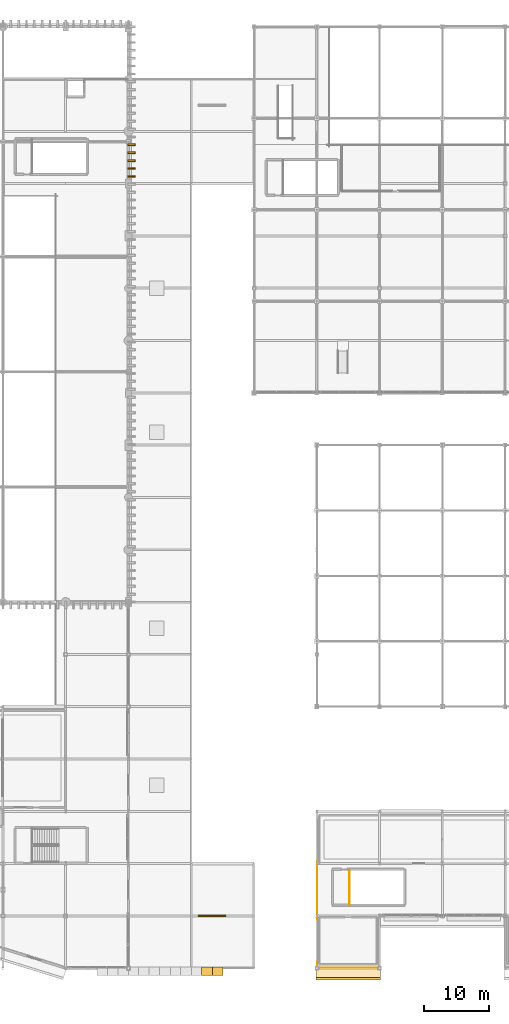
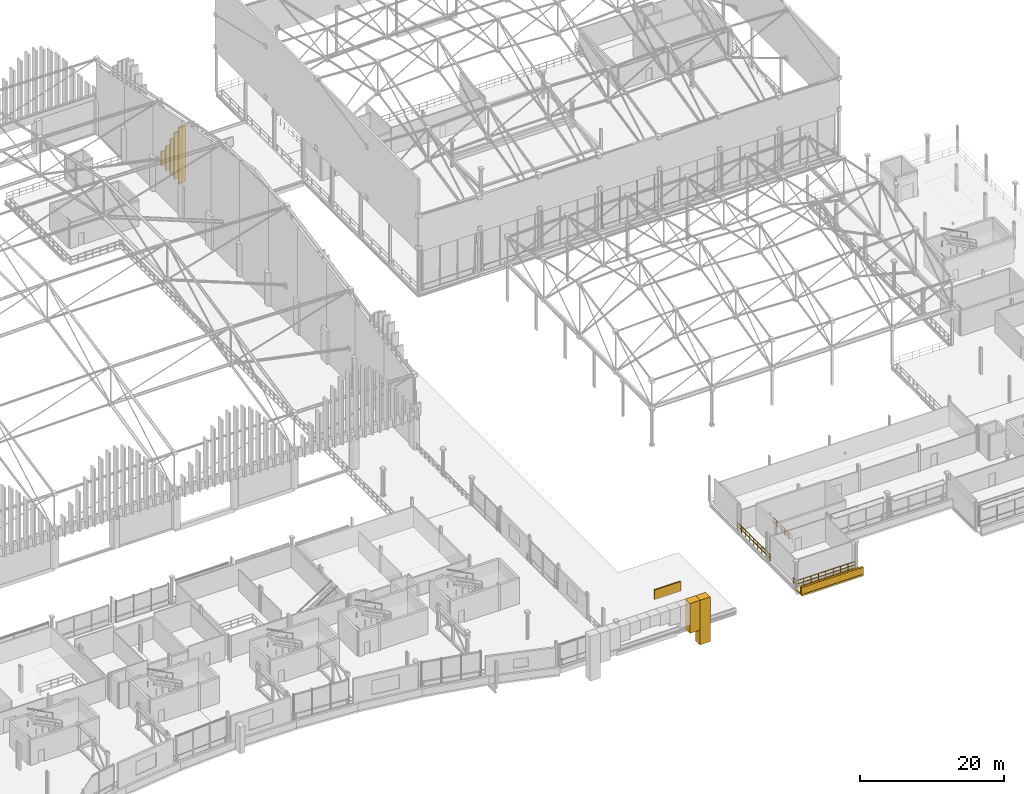
# One storey, part 183 of 193: 9 coverings, 4 railings, 1 shading device.
"""IFC4 building model written with IfcOpenShell, lengths in metres."""

from ifc_helpers import new_model, si_unit, direction, frame, origin, origin_2d, place, context, subcontext, project, spatial, rectangle, circle, extrude, material, layer, layer_set, type_object, element, save


model = new_model("IFC4")

# Units and contexts
model_context = context("Model", 3, precision=1e-05, world=origin(), true_north=direction((0.0, 1.0)))
body_context = subcontext(model_context, "Body", "Model", "MODEL_VIEW")
ifc_project = project(units=[si_unit("LENGTHUNIT", "METRE"), si_unit("AREAUNIT", "SQUARE_METRE"), si_unit("VOLUMEUNIT", "CUBIC_METRE"), si_unit("PLANEANGLEUNIT", "RADIAN"), si_unit("MASSUNIT", "GRAM", prefix="KILO")], contexts=[model_context])

# Site, building, storey
site_placement = place(None, origin())
site = spatial("IfcSite", under=ifc_project, at=site_placement, CompositionType="ELEMENT")
building_placement = place(site_placement, origin())
building = spatial("IfcBuilding", under=site, at=building_placement, Name="Danafjord Basin Convention Centre", CompositionType="ELEMENT")
storey_placement = place(building_placement, frame((0.0, 0.0, 11.39990234375)))
storey = spatial("IfcBuildingStorey", under=building, at=storey_placement, Name="L02", CompositionType="ELEMENT", Elevation=11.39990234375)

# Coverings
ifc_material_1 = material(Name="Architectural white precast concrete C45/55", Category="concrete")
ifc_layer_1 = layer(ifc_material_1, 0.419921875)
ifc_layer_set_1 = layer_set([ifc_layer_1], Name="Architectural white precast concrete C45/55")
covering_type_1 = type_object("IfcCoveringType", Name="COV-ARCH-PORTAL", PredefinedType="CLADDING", material=ifc_layer_set_1)
covering_1_placement = place(storey_placement, frame((127.199951171875, -0.449951171875, -0.85009765625), z_axis=(0.0, 0.0, 1.0), x_axis=(1.0, 0.0, 0.0)))
element("IfcCovering", 1, at=covering_1_placement, inside=storey, type_object=covering_type_1, Name="Main entrance arch white concrete spandrel voussoir 11", PredefinedType="CLADDING", context=body_context, shape_type="SweptSolid", body=[
    extrude(rectangle(XDim=1.659912109375, YDim=1.300048828125, at=origin_2d()), origin(), (0.0, 0.0, 1.0), 5.05029296875),
])
covering_2_placement = place(storey_placement, frame((128.800048828125, -0.449951171875, -3.36328125), z_axis=(0.0, 0.0, 1.0), x_axis=(1.0, 0.0, 0.0)))
element("IfcCovering", 2, at=covering_2_placement, inside=storey, type_object=covering_type_1, Name="Main entrance arch white concrete spandrel voussoir 12", PredefinedType="CLADDING", context=body_context, shape_type="SweptSolid", body=[
    extrude(rectangle(XDim=1.659912109375, YDim=1.300048828125, at=origin_2d()), origin(), (0.0, 0.0, 1.0), 7.563232421875),
])
ifc_layer_2 = layer(ifc_material_1, 0.320068359375)
ifc_layer_set_2 = layer_set([ifc_layer_2], Name="Architectural white precast concrete C45/55")
covering_type_2 = type_object("IfcCoveringType", Name="COV-BAND-HORIZ", PredefinedType="CLADDING", material=ifc_layer_set_2)
covering_3_placement = place(storey_placement, frame((148.800048828125, -0.77490234375, -0.27978515625), z_axis=(0.0, 0.0, 1.0), x_axis=(1.0, 0.0, 0.0)))
element("IfcCovering", 3, at=covering_3_placement, inside=storey, type_object=covering_type_2, Name="L02 stepped horizontal band soffit plate 63", PredefinedType="CLADDING", context=body_context, shape_type="SweptSolid", body=[
    extrude(rectangle(XDim=9.840087890625, YDim=2.050048828125, at=origin_2d()), origin(), (0.0, 0.0, 1.0), 0.280029296875),
])
covering_4_placement = place(storey_placement, frame((148.800048828125, -1.610107421875, -0.23974609375), z_axis=(0.0, 0.0, 1.0), x_axis=(1.0, 0.0, 0.0)))
element("IfcCovering", 4, at=covering_4_placement, inside=storey, type_object=covering_type_2, Name="L02 layered horizontal white spandrel band 63", PredefinedType="CLADDING", context=body_context, shape_type="SweptSolid", body=[
    extrude(rectangle(XDim=9.8798828125, YDim=0.320068359375, at=origin_2d()), origin(), (0.0, 0.0, 1.0), 1.419921875),
])
ifc_layer_3 = layer(ifc_material_1, 0.280029296875)
ifc_layer_set_3 = layer_set([ifc_layer_3], Name="Architectural white precast concrete C45/55")
covering_type_3 = type_object("IfcCoveringType", Name="COV-FIN-RIDGE", PredefinedType="CLADDING", material=ifc_layer_set_3)
covering_5_placement = place(storey_placement, frame((115.64990234375, 121.095947265625, 5.150146484375), z_axis=(0.0, 0.0, 1.0), x_axis=(1.0, 0.0, 0.0)))
element("IfcCovering", 5, at=covering_5_placement, inside=storey, type_object=covering_type_3, Name="V1 E white vertical mountain-ridge fin 323", PredefinedType="CLADDING", context=body_context, shape_type="SweptSolid", body=[
    extrude(rectangle(XDim=1.139892578125, YDim=0.280029296875, at=origin_2d()), origin(), (0.0, 0.0, 1.0), 9.52001953125),
])
covering_6_placement = place(storey_placement, frame((115.64990234375, 122.301513671875, 5.14990234375), z_axis=(0.0, 0.0, 1.0), x_axis=(1.0, 0.0, 0.0)))
element("IfcCovering", 6, at=covering_6_placement, inside=storey, type_object=covering_type_3, Name="V1 E white vertical mountain-ridge fin 324", PredefinedType="CLADDING", context=body_context, shape_type="SweptSolid", body=[
    extrude(rectangle(XDim=1.139892578125, YDim=0.280029296875, at=origin_2d()), origin(), (0.0, 0.0, 1.0), 7.850830078125),
])
covering_7_placement = place(storey_placement, frame((115.64990234375, 123.5068359375, 5.150146484375), z_axis=(0.0, 0.0, 1.0), x_axis=(1.0, 0.0, 0.0)))
element("IfcCovering", 7, at=covering_7_placement, inside=storey, type_object=covering_type_3, Name="V1 E white vertical mountain-ridge fin 325", PredefinedType="CLADDING", context=body_context, shape_type="SweptSolid", body=[
    extrude(rectangle(XDim=1.139892578125, YDim=0.280029296875, at=origin_2d()), origin(), (0.0, 0.0, 1.0), 5.9658203125),
])
covering_8_placement = place(storey_placement, frame((115.64990234375, 124.71240234375, 5.14990234375), z_axis=(0.0, 0.0, 1.0), x_axis=(1.0, 0.0, 0.0)))
element("IfcCovering", 8, at=covering_8_placement, inside=storey, type_object=covering_type_3, Name="V1 E white vertical mountain-ridge fin 326", PredefinedType="CLADDING", context=body_context, shape_type="SweptSolid", body=[
    extrude(rectangle(XDim=1.139892578125, YDim=0.280029296875, at=origin_2d()), origin(), (0.0, 0.0, 1.0), 4.069580078125),
])
covering_9_placement = place(storey_placement, frame((115.64990234375, 125.917724609375, 5.14990234375), z_axis=(0.0, 0.0, 1.0), x_axis=(1.0, 0.0, 0.0)))
element("IfcCovering", 9, at=covering_9_placement, inside=storey, type_object=covering_type_3, Name="V1 E white vertical mountain-ridge fin 327", PredefinedType="CLADDING", context=body_context, shape_type="SweptSolid", body=[
    extrude(rectangle(XDim=1.139892578125, YDim=0.280029296875, at=origin_2d()), origin(), (0.0, 0.0, 1.0), 2.45361328125),
])

# Railings
ifc_material_2 = material(Name="Laminated structural glass and stainless steel", Category="steel")
railing_type_1 = type_object("IfcRailingType", Name="RL-BAL-GLS", PredefinedType="BALUSTRADE", material=ifc_material_2)
railing_1_placement = place(storey_placement, frame((153.510009765625, 0.080078125, 0.0)))
element("IfcRailing", 10, at=railing_1_placement, inside=storey, type_object=railing_type_1, Name="L02 safety guard balustrade 133", PredefinedType="BALUSTRADE", context=body_context, shape_type="SweptSolid", body=[
    extrude(circle(Radius=0.02392578125, at=origin_2d()), frame((0.0, 0.0, 1.1259765625), z_axis=(-1.0, 0.0, 0.0), x_axis=(0.0, -1.0, 0.0)), (0.0, 0.0, 1.0), 9.429931640625),
    extrude(circle(Radius=0.02392578125, at=origin_2d()), frame((0.0, 0.0, 0.55078125), z_axis=(-1.0, 0.0, 0.0), x_axis=(0.0, -1.0, 0.0)), (0.0, 0.0, 1.0), 9.429931640625),
    extrude(circle(Radius=0.02392578125, at=origin_2d()), frame((-9.429931640625, 0.0, 1.1259765625), z_axis=(0.0, 1.0, 0.0), x_axis=(-1.0, 0.0, 0.0)), (0.0, 0.0, 1.0), 0.891845703125),
    extrude(circle(Radius=0.02392578125, at=origin_2d()), frame((-9.429931640625, 0.0, 0.55078125), z_axis=(0.0, 1.0, 0.0), x_axis=(-1.0, 0.0, 0.0)), (0.0, 0.0, 1.0), 0.891845703125),
    extrude(circle(Radius=0.02099609375, at=origin_2d()), origin(), (0.0, 0.0, 1.0), 1.099853515625),
    extrude(circle(Radius=0.02099609375, at=origin_2d()), frame((-1.1787109375, 0.0, 0.0)), (0.0, 0.0, 1.0), 1.099853515625),
    extrude(circle(Radius=0.02099609375, at=origin_2d()), frame((-2.357421875, 0.0, 0.0)), (0.0, 0.0, 1.0), 1.099853515625),
    extrude(circle(Radius=0.02099609375, at=origin_2d()), frame((-3.5361328125, 0.0, 0.0)), (0.0, 0.0, 1.0), 1.099853515625),
    extrude(circle(Radius=0.02099609375, at=origin_2d()), frame((-4.71484375, 0.0, 0.0)), (0.0, 0.0, 1.0), 1.099853515625),
    extrude(circle(Radius=0.02099609375, at=origin_2d()), frame((-5.893798828125, 0.0, 0.0)), (0.0, 0.0, 1.0), 1.099853515625),
    extrude(circle(Radius=0.02099609375, at=origin_2d()), frame((-7.072509765625, 0.0, 0.0)), (0.0, 0.0, 1.0), 1.099853515625),
    extrude(circle(Radius=0.02099609375, at=origin_2d()), frame((-8.251220703125, 0.0, 0.0)), (0.0, 0.0, 1.0), 1.099853515625),
    extrude(circle(Radius=0.02099609375, at=origin_2d()), frame((-9.429931640625, 0.0, 0.0)), (0.0, 0.0, 1.0), 1.099853515625),
    extrude(circle(Radius=0.02099609375, at=origin_2d()), frame((-9.429931640625, 0.891845703125, 0.0)), (0.0, 0.0, 1.0), 1.099853515625),
])
railing_2_placement = place(storey_placement, frame((144.080078125, 7.427978515625, 0.0)))
element("IfcRailing", 11, at=railing_2_placement, inside=storey, type_object=railing_type_1, Name="L02 safety guard balustrade 134", PredefinedType="BALUSTRADE", context=body_context, shape_type="SweptSolid", body=[
    extrude(circle(Radius=0.02392578125, at=origin_2d()), frame((0.0, 0.0, 1.1259765625), z_axis=(0.0, 1.0, 0.0), x_axis=(-1.0, 0.0, 0.0)), (0.0, 0.0, 1.0), 8.944091796875),
    extrude(circle(Radius=0.02392578125, at=origin_2d()), frame((0.0, 0.0, 0.55078125), z_axis=(0.0, 1.0, 0.0), x_axis=(-1.0, 0.0, 0.0)), (0.0, 0.0, 1.0), 8.944091796875),
    extrude(circle(Radius=0.02099609375, at=origin_2d()), origin(), (0.0, 0.0, 1.0), 1.099853515625),
    extrude(circle(Radius=0.02099609375, at=origin_2d()), frame((0.0, 1.117919921875, 0.0)), (0.0, 0.0, 1.0), 1.099853515625),
    extrude(circle(Radius=0.02099609375, at=origin_2d()), frame((0.0, 2.236083984375, 0.0)), (0.0, 0.0, 1.0), 1.099853515625),
    extrude(circle(Radius=0.02099609375, at=origin_2d()), frame((0.0, 3.35400390625, 0.0)), (0.0, 0.0, 1.0), 1.099853515625),
    extrude(circle(Radius=0.02099609375, at=origin_2d()), frame((0.0, 4.47216796875, 0.0)), (0.0, 0.0, 1.0), 1.099853515625),
    extrude(circle(Radius=0.02099609375, at=origin_2d()), frame((0.0, 5.590087890625, 0.0)), (0.0, 0.0, 1.0), 1.099853515625),
    extrude(circle(Radius=0.02099609375, at=origin_2d()), frame((0.0, 6.7080078125, 0.0)), (0.0, 0.0, 1.0), 1.099853515625),
    extrude(circle(Radius=0.02099609375, at=origin_2d()), frame((0.0, 7.826171875, 0.0)), (0.0, 0.0, 1.0), 1.099853515625),
    extrude(circle(Radius=0.02099609375, at=origin_2d()), frame((0.0, 8.944091796875, 0.0)), (0.0, 0.0, 1.0), 1.099853515625),
])
railing_3_placement = place(storey_placement, frame((149.0, 15.0, 0.0)))
element("IfcRailing", 12, at=railing_3_placement, inside=storey, type_object=railing_type_1, Name="L02 safety guard balustrade 148", PredefinedType="BALUSTRADE", context=body_context, shape_type="SweptSolid", body=[
    extrude(circle(Radius=0.02392578125, at=origin_2d()), frame((0.0, 0.0, 1.1259765625), z_axis=(0.0, -1.0, 0.0), x_axis=(1.0, 0.0, 0.0)), (0.0, 0.0, 1.0), 5.239990234375),
    extrude(circle(Radius=0.02392578125, at=origin_2d()), frame((0.0, 0.0, 0.55078125), z_axis=(0.0, -1.0, 0.0), x_axis=(1.0, 0.0, 0.0)), (0.0, 0.0, 1.0), 5.239990234375),
    extrude(circle(Radius=0.02099609375, at=origin_2d()), origin(), (0.0, 0.0, 1.0), 1.099853515625),
    extrude(circle(Radius=0.02099609375, at=origin_2d()), frame((0.0, -1.048095703125, 0.0)), (0.0, 0.0, 1.0), 1.099853515625),
    extrude(circle(Radius=0.02099609375, at=origin_2d()), frame((0.0, -2.095947265625, 0.0)), (0.0, 0.0, 1.0), 1.099853515625),
    extrude(circle(Radius=0.02099609375, at=origin_2d()), frame((0.0, -3.14404296875, 0.0)), (0.0, 0.0, 1.0), 1.099853515625),
    extrude(circle(Radius=0.02099609375, at=origin_2d()), frame((0.0, -4.19189453125, 0.0)), (0.0, 0.0, 1.0), 1.099853515625),
    extrude(circle(Radius=0.02099609375, at=origin_2d()), frame((0.0, -5.239990234375, 0.0)), (0.0, 0.0, 1.0), 1.099853515625),
])
ifc_material_3 = material(Name="Galvanised steel S355", Category="steel")
railing_type_2 = type_object("IfcRailingType", Name="RL-GD-WELL", PredefinedType="BALUSTRADE", material=ifc_material_3)
railing_4_placement = place(storey_placement, frame((149.030029296875, 9.81005859375, 0.0)))
element("IfcRailing", 13, at=railing_4_placement, inside=storey, type_object=railing_type_2, Name="L02 ST-16 top well guard 1", PredefinedType="BALUSTRADE", context=body_context, shape_type="SweptSolid", body=[
    extrude(circle(Radius=0.02392578125, at=origin_2d()), frame((0.0, 0.0, 1.076171875), z_axis=(0.0, 1.0, 0.0), x_axis=(-1.0, 0.0, 0.0)), (0.0, 0.0, 1.0), 2.639892578125),
    extrude(circle(Radius=0.02392578125, at=origin_2d()), frame((0.0, 0.0, 0.52587890625), z_axis=(0.0, 1.0, 0.0), x_axis=(-1.0, 0.0, 0.0)), (0.0, 0.0, 1.0), 2.639892578125),
    extrude(circle(Radius=0.02099609375, at=origin_2d()), origin(), (0.0, 0.0, 1.0), 1.050048828125),
    extrude(circle(Radius=0.02099609375, at=origin_2d()), frame((0.0, 0.8798828125, 0.0)), (0.0, 0.0, 1.0), 1.050048828125),
    extrude(circle(Radius=0.02099609375, at=origin_2d()), frame((0.0, 1.760009765625, 0.0)), (0.0, 0.0, 1.0), 1.050048828125),
    extrude(circle(Radius=0.02099609375, at=origin_2d()), frame((0.0, 2.639892578125, 0.0)), (0.0, 0.0, 1.0), 1.050048828125),
])

# Shading device
ifc_material_4 = material(Name="Extruded anodised aluminium acoustic louvre", Category="aluminium")
shading_device_type = type_object("IfcShadingDeviceType", Name="SHD-LVR-A", PredefinedType="JALOUSIE", material=ifc_material_4)
shading_device_placement = place(storey_placement, frame((128.0, 8.0, -0.419921875), z_axis=(0.0, 0.0, 1.0), x_axis=(1.0, 0.0, 0.0)))
element("IfcShadingDevice", 14, at=shading_device_placement, inside=storey, type_object=shading_device_type, Name="L02 acoustic plant intake louvre 1", PredefinedType="JALOUSIE", context=body_context, shape_type="SweptSolid", body=[
    extrude(rectangle(XDim=4.199951171875, YDim=0.219970703125, at=origin_2d()), origin(), (0.0, 0.0, 1.0), 1.60009765625),
])

save(model, "model.ifc")
